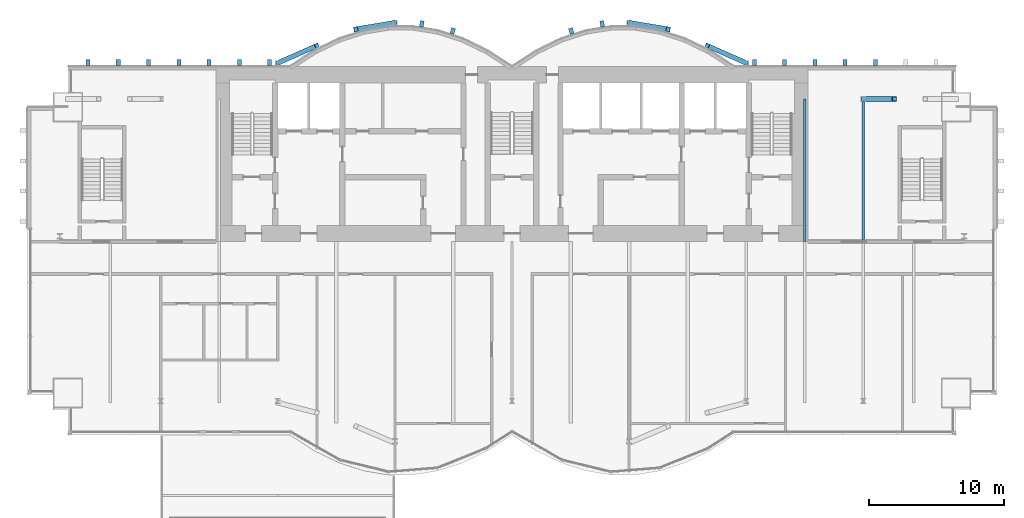
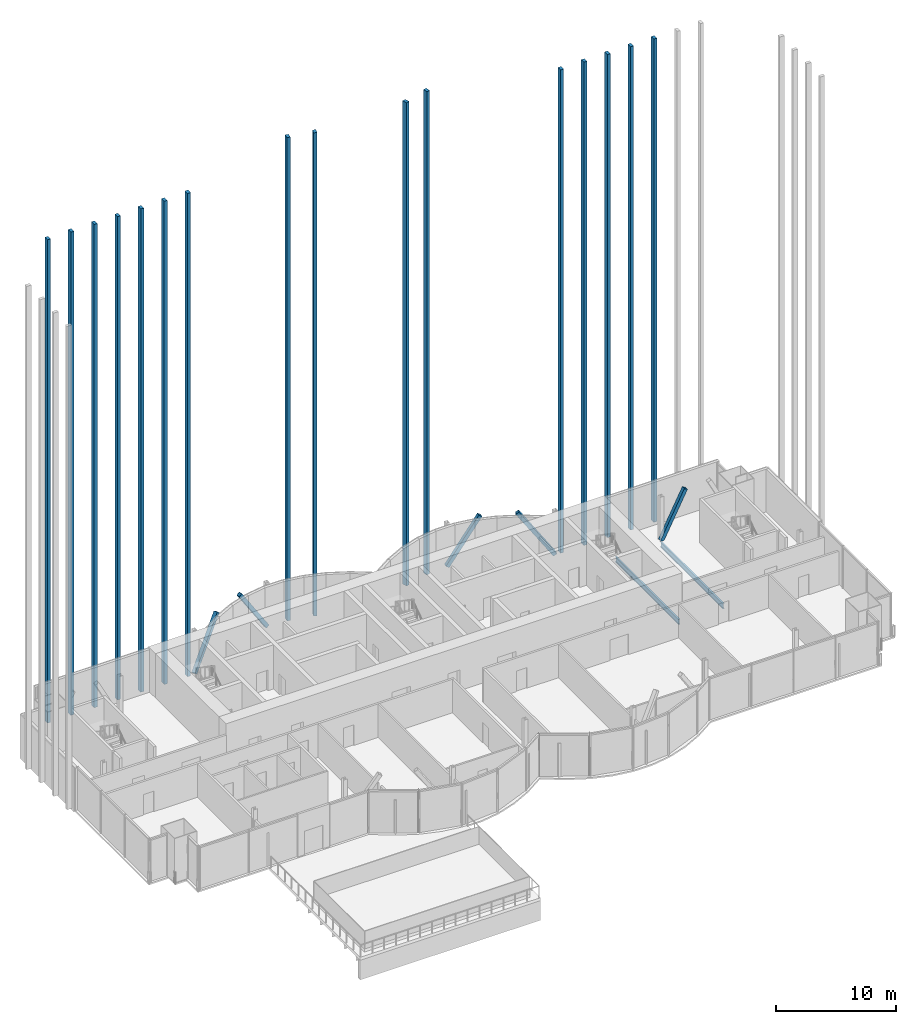
# One storey, part 11 of 22: 21 members, 2 beams, 6 elements without a shape of their own.
"""IFC4 building model written with IfcOpenShell, lengths in metres."""

from ifc_helpers import new_model, si_unit, direction, frame, origin, origin_2d, place, context, subcontext, project, spatial, rectangle, hollow_rectangle, i_section, extrude, material, material_profile, profile_set, type_object, element, aggregate, save


model = new_model("IFC4")

# Units and contexts
model_context = context("Model", 3, precision=1e-05, world=origin(), true_north=direction((0.0, 1.0)))
body_context = subcontext(model_context, "Body", "Model", "MODEL_VIEW")
ifc_project = project(units=[si_unit("LENGTHUNIT", "METRE"), si_unit("AREAUNIT", "SQUARE_METRE"), si_unit("VOLUMEUNIT", "CUBIC_METRE"), si_unit("PLANEANGLEUNIT", "RADIAN"), si_unit("MASSUNIT", "GRAM", prefix="KILO")], contexts=[model_context])

# Site, building, storey
site_placement = place(None, origin())
site = spatial("IfcSite", under=ifc_project, at=site_placement, CompositionType="ELEMENT")
building_placement = place(site_placement, origin())
building = spatial("IfcBuilding", under=site, at=building_placement, Name="Bicima Exchange Tower", CompositionType="ELEMENT")
storey_placement = place(building_placement, frame((0.0, 0.0, 293.0)))
storey = spatial("IfcBuildingStorey", under=building, at=storey_placement, Name="L66", CompositionType="ELEMENT", Elevation=293.0)

# Beams
ifc_material_1 = material(Name="Steel ASTM A992 Gr 50", Category="steel")
ifc_material_profile_1 = material_profile(ifc_material_1, i_section(OverallWidth=0.165771484375, OverallDepth=0.5283203125, WebThickness=0.009765625, FlangeThickness=0.013671875, at=origin_2d()))
ifc_profile_set_1 = profile_set([ifc_material_profile_1], Name="Steel ASTM A992 Gr 50")
beam_type = type_object("IfcBeamType", Name="Floor beam W21x50", PredefinedType="JOIST", material=ifc_profile_set_1)
beam_1_placement = place(storey_placement, frame((21.75, -2.39990234375, -0.414306640625), z_axis=(0.0, -1.0, 0.0), x_axis=(1.0, 0.0, 0.0)))
element("IfcBeam", 1, at=beam_1_placement, inside=storey, type_object=beam_type, Name="Floor beam", PredefinedType="JOIST", context=body_context, shape_type="SweptSolid", body=[
    extrude(i_section(OverallWidth=0.165771484375, OverallDepth=0.5283203125, WebThickness=0.009765625, FlangeThickness=0.013671875, at=origin_2d()), origin(), (0.0, 0.0, 1.0), 10.60009765625),
])
beam_2_placement = place(storey_placement, frame((26.10009765625, -2.39990234375, -0.414306640625), z_axis=(0.0, -1.0, 0.0), x_axis=(1.0, 0.0, 0.0)))
element("IfcBeam", 2, at=beam_2_placement, inside=storey, type_object=beam_type, Name="Floor beam", PredefinedType="JOIST", context=body_context, shape_type="SweptSolid", body=[
    extrude(i_section(OverallWidth=0.165771484375, OverallDepth=0.5283203125, WebThickness=0.009765625, FlangeThickness=0.013671875, at=origin_2d()), origin(), (0.0, 0.0, 1.0), 10.44775390625),
])

# Members
ifc_material_2 = material(Name="Steel ASTM A572 Gr 50", Category="steel")
ifc_material_profile_2 = material_profile(ifc_material_2, hollow_rectangle(XDim=0.355712890625, YDim=0.355712890625, WallThickness=0.01171875, at=origin_2d()))
ifc_profile_set_2 = profile_set([ifc_material_profile_2], Name="Steel ASTM A572 Gr 50")
member_type_1 = type_object("IfcMemberType", Name="Mega brace HSS14x14x1/2", PredefinedType="BRACE", material=ifc_profile_set_2)
member_1_placement = place(storey_placement, frame((-17.39990234375, 0.278076171875, 0.0), z_axis=(0.526881390073, 0.232212836928, 0.817602103202), x_axis=(-0.403298774981, 0.915068357063, 0.0)))
element("IfcMember", 3, at=member_1_placement, inside=storey, type_object=member_type_1, Name="Mega brace rexo", PredefinedType="BRACE", context=body_context, shape_type="SweptSolid", body=[
    extrude(hollow_rectangle(XDim=0.355712890625, YDim=0.355712890625, WallThickness=0.01171875, at=origin_2d()), origin(), (0.0, 0.0, 1.0), 5.50390625),
])
for number, where, z_axis, x_axis, name in (
    (4, (-8.699951171875, 3.26904296875, 0.0), (-0.539503643625, -0.090379009244, 0.837118541906), (0.165220206918, -0.9862567025, 0.0), "Mega brace rexo"),
    (5, (8.699951171875, 3.26904296875, 0.0), (0.539503643625, -0.090379009244, 0.837118541906), (0.165220206918, 0.9862567025, 0.0), "Mega brace rexo"),
):
    element("IfcMember", number, at=place(storey_placement, frame(where, z_axis=z_axis, x_axis=x_axis)), inside=storey, type_object=member_type_1, Name=name, PredefinedType="BRACE", context=body_context, shape_type="SweptSolid", body=[
        extrude(hollow_rectangle(XDim=0.355712890625, YDim=0.355712890625, WallThickness=0.01171875, at=origin_2d()), origin(), (0.0, 0.0, 1.0), 5.37548828125),
    ])
member_2_placement = place(storey_placement, frame((17.39990234375, 0.278076171875, 0.0), z_axis=(-0.526881390073, 0.232212836928, 0.817602103202), x_axis=(-0.403298774981, -0.915068357063, 0.0)))
element("IfcMember", 6, at=member_2_placement, inside=storey, type_object=member_type_1, Name="Mega brace rexo", PredefinedType="BRACE", context=body_context, shape_type="SweptSolid", body=[
    extrude(hollow_rectangle(XDim=0.355712890625, YDim=0.355712890625, WallThickness=0.01171875, at=origin_2d()), origin(), (0.0, 0.0, 1.0), 5.50390625),
])
member_3_placement = place(storey_placement, frame((26.10009765625, -2.39990234375, 0.0), z_axis=(0.455080416514, 0.0, 0.89045034365), x_axis=(0.0, 1.0, 0.0)))
element("IfcMember", 7, at=member_3_placement, inside=storey, type_object=member_type_1, Name="Mega brace rear", PredefinedType="BRACE", context=body_context, shape_type="SweptSolid", body=[
    extrude(hollow_rectangle(XDim=0.355712890625, YDim=0.355712890625, WallThickness=0.01171875, at=origin_2d()), origin(), (0.0, 0.0, 1.0), 5.0537109375),
])

# Curtain wall, members
ifc_material_3 = material(Name="Anodised bronze aluminium", Category="aluminium")
curtain_wall_type = type_object("IfcCurtainWallType", Name="Rear blade screen", PredefinedType="NOTDEFINED", material=ifc_material_3)
curtain_wall_1_placement = place(storey_placement, origin())
curtain_wall_1 = element("IfcCurtainWall", 8, at=curtain_wall_1_placement, inside=storey, type_object=curtain_wall_type, Name="Rear blade screen L66-L76 W", PredefinedType="NOTDEFINED")
ifc_material_profile_3 = material_profile(ifc_material_3, rectangle(XDim=0.449951171875, YDim=0.300048828125, at=origin_2d()))
ifc_profile_set_3 = profile_set([ifc_material_profile_3], Name="Anodised bronze aluminium")
member_type_2 = type_object("IfcMemberType", Name="Rear blade fin 450 x 300", PredefinedType="USERDEFINED", material=ifc_profile_set_3)
member_4_placement = place(storey_placement, frame((-31.5, 0.324951171875, 0.0), z_axis=(0.0, 0.0, 1.0), x_axis=(0.0, 1.0, 0.0)))
member_4 = element("IfcMember", 9, at=member_4_placement, type_object=member_type_2, Name="Rear blade fin L66-L76 2", ObjectType="FIN", PredefinedType="USERDEFINED", context=body_context, shape_type="SweptSolid", body=[
    extrude(rectangle(XDim=0.449951171875, YDim=0.300048828125, at=origin_2d()), origin(), (0.0, 0.0, 1.0), 49.300048828125),
])
member_5_placement = place(storey_placement, frame((-29.25, 0.324951171875, 0.0), z_axis=(0.0, 0.0, 1.0), x_axis=(0.0, 1.0, 0.0)))
member_5 = element("IfcMember", 10, at=member_5_placement, type_object=member_type_2, Name="Rear blade fin L66-L76 3", ObjectType="FIN", PredefinedType="USERDEFINED", context=body_context, shape_type="SweptSolid", body=[
    extrude(rectangle(XDim=0.449951171875, YDim=0.300048828125, at=origin_2d()), origin(), (0.0, 0.0, 1.0), 49.300048828125),
])
member_6_placement = place(storey_placement, frame((-27.0, 0.324951171875, 0.0), z_axis=(0.0, 0.0, 1.0), x_axis=(0.0, 1.0, 0.0)))
member_6 = element("IfcMember", 11, at=member_6_placement, type_object=member_type_2, Name="Rear blade fin L66-L76 4", ObjectType="FIN", PredefinedType="USERDEFINED", context=body_context, shape_type="SweptSolid", body=[
    extrude(rectangle(XDim=0.449951171875, YDim=0.300048828125, at=origin_2d()), origin(), (0.0, 0.0, 1.0), 49.300048828125),
])
member_7_placement = place(storey_placement, frame((-24.75, 0.324951171875, 0.0), z_axis=(0.0, 0.0, 1.0), x_axis=(0.0, 1.0, 0.0)))
member_7 = element("IfcMember", 12, at=member_7_placement, type_object=member_type_2, Name="Rear blade fin L66-L76 5", ObjectType="FIN", PredefinedType="USERDEFINED", context=body_context, shape_type="SweptSolid", body=[
    extrude(rectangle(XDim=0.449951171875, YDim=0.300048828125, at=origin_2d()), origin(), (0.0, 0.0, 1.0), 49.300048828125),
])
member_8_placement = place(storey_placement, frame((-22.5, 0.324951171875, 0.0), z_axis=(0.0, 0.0, 1.0), x_axis=(0.0, 1.0, 0.0)))
member_8 = element("IfcMember", 13, at=member_8_placement, type_object=member_type_2, Name="Rear blade fin L66-L76 6", ObjectType="FIN", PredefinedType="USERDEFINED", context=body_context, shape_type="SweptSolid", body=[
    extrude(rectangle(XDim=0.449951171875, YDim=0.300048828125, at=origin_2d()), origin(), (0.0, 0.0, 1.0), 49.300048828125),
])
member_9_placement = place(storey_placement, frame((-20.25, 0.324951171875, 0.0), z_axis=(0.0, 0.0, 1.0), x_axis=(0.0, 1.0, 0.0)))
member_9 = element("IfcMember", 14, at=member_9_placement, type_object=member_type_2, Name="Rear blade fin L66-L76 7", ObjectType="FIN", PredefinedType="USERDEFINED", context=body_context, shape_type="SweptSolid", body=[
    extrude(rectangle(XDim=0.449951171875, YDim=0.300048828125, at=origin_2d()), origin(), (0.0, 0.0, 1.0), 49.300048828125),
])
member_10_placement = place(storey_placement, frame((-18.0, 0.324951171875, 0.0), z_axis=(0.0, 0.0, 1.0), x_axis=(0.0, 1.0, 0.0)))
member_10 = element("IfcMember", 15, at=member_10_placement, type_object=member_type_2, Name="Rear blade fin L66-L76 8", ObjectType="FIN", PredefinedType="USERDEFINED", context=body_context, shape_type="SweptSolid", body=[
    extrude(rectangle(XDim=0.449951171875, YDim=0.300048828125, at=origin_2d()), origin(), (0.0, 0.0, 1.0), 49.300048828125),
])
aggregate(curtain_wall_1, [member_4, member_5, member_6, member_7, member_8, member_9, member_10])

# Curtain wall, member
curtain_wall_2_placement = place(storey_placement, origin())
curtain_wall_2 = element("IfcCurtainWall", 16, at=curtain_wall_2_placement, inside=storey, type_object=curtain_wall_type, Name="Rear blade screen L66-L76 bay", PredefinedType="NOTDEFINED")
member_11_placement = place(storey_placement, frame((-6.697998046875, 3.189697265625, 0.0), z_axis=(0.0, 0.0, 1.0), x_axis=(0.159548663212, 0.987190064814, 0.0)))
member_11 = element("IfcMember", 17, at=member_11_placement, type_object=member_type_2, Name="Rear blade fin L66-L76 9", ObjectType="FIN", PredefinedType="USERDEFINED", context=body_context, shape_type="SweptSolid", body=[
    extrude(rectangle(XDim=0.449951171875, YDim=0.300048828125, at=origin_2d()), origin(), (0.0, 0.0, 1.0), 49.300048828125),
])
aggregate(curtain_wall_2, [member_11])

curtain_wall_3_placement = place(storey_placement, origin())
curtain_wall_3 = element("IfcCurtainWall", 18, at=curtain_wall_3_placement, inside=storey, type_object=curtain_wall_type, Name="Rear blade screen L66-L76 bay", PredefinedType="NOTDEFINED")
member_12_placement = place(storey_placement, frame((-4.39990234375, 2.652587890625, 0.0), z_axis=(0.0, 0.0, 1.0), x_axis=(0.307567537632, 0.951526252814, 0.0)))
member_12 = element("IfcMember", 19, at=member_12_placement, type_object=member_type_2, Name="Rear blade fin L66-L76 10", ObjectType="FIN", PredefinedType="USERDEFINED", context=body_context, shape_type="SweptSolid", body=[
    extrude(rectangle(XDim=0.449951171875, YDim=0.300048828125, at=origin_2d()), origin(), (0.0, 0.0, 1.0), 49.300048828125),
])
aggregate(curtain_wall_3, [member_12])

curtain_wall_4_placement = place(storey_placement, origin())
curtain_wall_4 = element("IfcCurtainWall", 20, at=curtain_wall_4_placement, inside=storey, type_object=curtain_wall_type, Name="Rear blade screen L66-L76 bay", PredefinedType="NOTDEFINED")
member_13_placement = place(storey_placement, frame((4.39990234375, 2.652587890625, 0.0), z_axis=(0.0, 0.0, 1.0), x_axis=(-0.307567537632, 0.951526252814, 0.0)))
member_13 = element("IfcMember", 21, at=member_13_placement, type_object=member_type_2, Name="Rear blade fin L66-L76 11", ObjectType="FIN", PredefinedType="USERDEFINED", context=body_context, shape_type="SweptSolid", body=[
    extrude(rectangle(XDim=0.449951171875, YDim=0.300048828125, at=origin_2d()), origin(), (0.0, 0.0, 1.0), 49.300048828125),
])
aggregate(curtain_wall_4, [member_13])

curtain_wall_5_placement = place(storey_placement, origin())
curtain_wall_5 = element("IfcCurtainWall", 22, at=curtain_wall_5_placement, inside=storey, type_object=curtain_wall_type, Name="Rear blade screen L66-L76 bay", PredefinedType="NOTDEFINED")
member_14_placement = place(storey_placement, frame((6.697998046875, 3.189697265625, 0.0), z_axis=(0.0, 0.0, 1.0), x_axis=(-0.159548663212, 0.987190064814, 0.0)))
member_14 = element("IfcMember", 23, at=member_14_placement, type_object=member_type_2, Name="Rear blade fin L66-L76 12", ObjectType="FIN", PredefinedType="USERDEFINED", context=body_context, shape_type="SweptSolid", body=[
    extrude(rectangle(XDim=0.449951171875, YDim=0.300048828125, at=origin_2d()), origin(), (0.0, 0.0, 1.0), 49.300048828125),
])
aggregate(curtain_wall_5, [member_14])

# Curtain wall, members
curtain_wall_6_placement = place(storey_placement, origin())
curtain_wall_6 = element("IfcCurtainWall", 24, at=curtain_wall_6_placement, inside=storey, type_object=curtain_wall_type, Name="Rear blade screen L66-L76 E", PredefinedType="NOTDEFINED")
member_15_placement = place(storey_placement, frame((18.0, 0.324951171875, 0.0), z_axis=(0.0, 0.0, 1.0), x_axis=(0.0, 1.0, 0.0)))
member_15 = element("IfcMember", 25, at=member_15_placement, type_object=member_type_2, Name="Rear blade fin L66-L76 13", ObjectType="FIN", PredefinedType="USERDEFINED", context=body_context, shape_type="SweptSolid", body=[
    extrude(rectangle(XDim=0.449951171875, YDim=0.300048828125, at=origin_2d()), origin(), (0.0, 0.0, 1.0), 49.300048828125),
])
member_16_placement = place(storey_placement, frame((20.25, 0.324951171875, 0.0), z_axis=(0.0, 0.0, 1.0), x_axis=(0.0, 1.0, 0.0)))
member_16 = element("IfcMember", 26, at=member_16_placement, type_object=member_type_2, Name="Rear blade fin L66-L76 14", ObjectType="FIN", PredefinedType="USERDEFINED", context=body_context, shape_type="SweptSolid", body=[
    extrude(rectangle(XDim=0.449951171875, YDim=0.300048828125, at=origin_2d()), origin(), (0.0, 0.0, 1.0), 49.300048828125),
])
member_17_placement = place(storey_placement, frame((22.5, 0.324951171875, 0.0), z_axis=(0.0, 0.0, 1.0), x_axis=(0.0, 1.0, 0.0)))
member_17 = element("IfcMember", 27, at=member_17_placement, type_object=member_type_2, Name="Rear blade fin L66-L76 15", ObjectType="FIN", PredefinedType="USERDEFINED", context=body_context, shape_type="SweptSolid", body=[
    extrude(rectangle(XDim=0.449951171875, YDim=0.300048828125, at=origin_2d()), origin(), (0.0, 0.0, 1.0), 49.300048828125),
])
member_18_placement = place(storey_placement, frame((24.75, 0.324951171875, 0.0), z_axis=(0.0, 0.0, 1.0), x_axis=(0.0, 1.0, 0.0)))
member_18 = element("IfcMember", 28, at=member_18_placement, type_object=member_type_2, Name="Rear blade fin L66-L76 16", ObjectType="FIN", PredefinedType="USERDEFINED", context=body_context, shape_type="SweptSolid", body=[
    extrude(rectangle(XDim=0.449951171875, YDim=0.300048828125, at=origin_2d()), origin(), (0.0, 0.0, 1.0), 49.300048828125),
])
member_19_placement = place(storey_placement, frame((27.0, 0.324951171875, 0.0), z_axis=(0.0, 0.0, 1.0), x_axis=(0.0, 1.0, 0.0)))
member_19 = element("IfcMember", 29, at=member_19_placement, type_object=member_type_2, Name="Rear blade fin L66-L76 17", ObjectType="FIN", PredefinedType="USERDEFINED", context=body_context, shape_type="SweptSolid", body=[
    extrude(rectangle(XDim=0.449951171875, YDim=0.300048828125, at=origin_2d()), origin(), (0.0, 0.0, 1.0), 49.300048828125),
])
aggregate(curtain_wall_6, [member_15, member_16, member_17, member_18, member_19])

save(model, "model.ifc")
